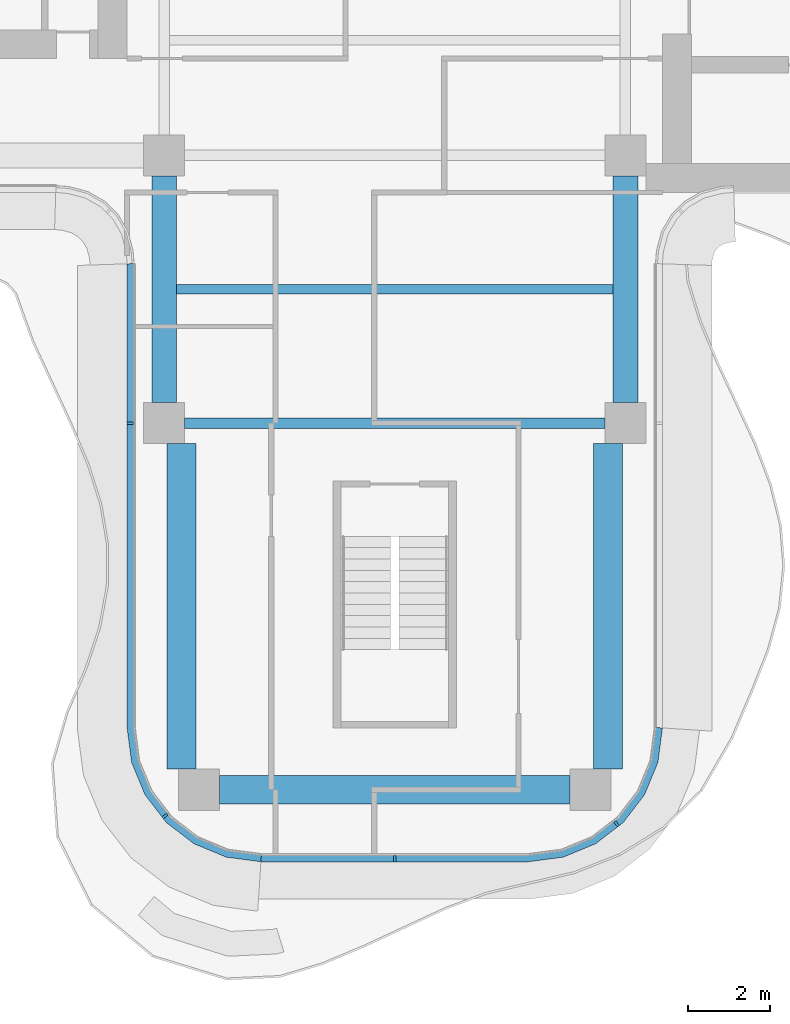
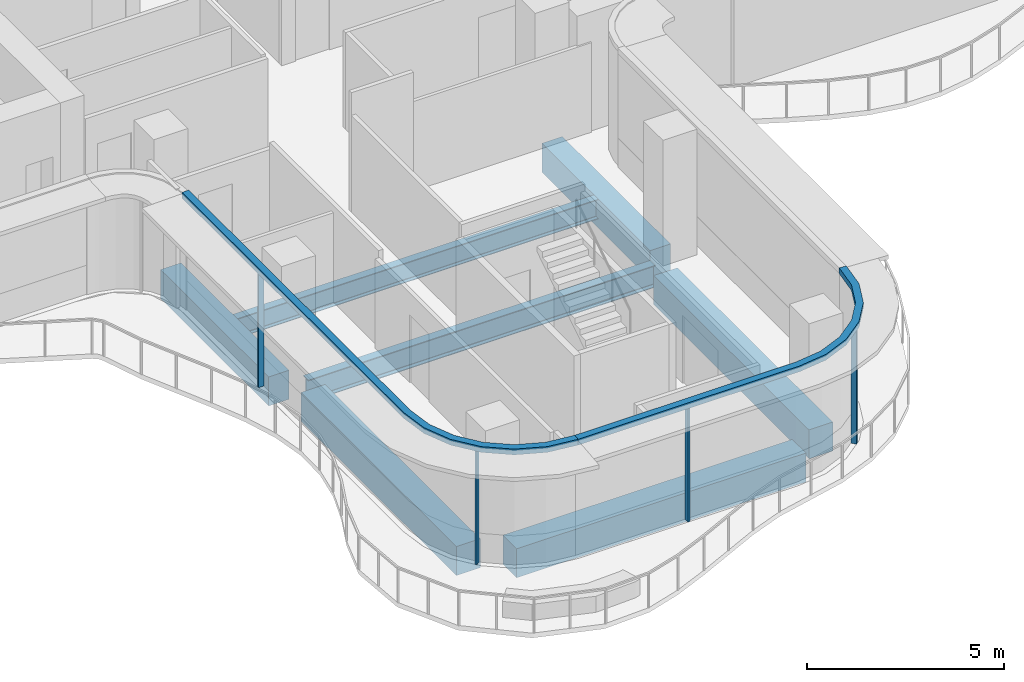
# One storey, part 2 of 15: 7 beams, 6 members, 2 elements without a shape of their own.
"""IFC4 building model written with IfcOpenShell, lengths in metres."""

from ifc_helpers import new_model, si_unit, direction, frame, origin, origin_2d, place, context, subcontext, project, spatial, polyline, rectangle, i_section, outline, extrude, source, transform, mapped, material, layer, layer_set, material_profile, profile_set, type_object, element, aggregate, save


model = new_model("IFC4")

# Units and contexts
model_context = context("Model", 3, precision=1e-05, world=origin(), true_north=direction((0.0, 1.0)))
body_context = subcontext(model_context, "Body", "Model", "MODEL_VIEW")
ifc_project = project(units=[si_unit("LENGTHUNIT", "METRE"), si_unit("AREAUNIT", "SQUARE_METRE"), si_unit("VOLUMEUNIT", "CUBIC_METRE"), si_unit("PLANEANGLEUNIT", "RADIAN"), si_unit("MASSUNIT", "GRAM", prefix="KILO")], contexts=[model_context])

# Site, building, storey
site_placement = place(None, origin())
site = spatial("IfcSite", under=ifc_project, at=site_placement, CompositionType="ELEMENT")
building_placement = place(site_placement, origin())
building = spatial("IfcBuilding", under=site, at=building_placement, Name="Trellis Farm Tower", CompositionType="ELEMENT")
storey_placement = place(building_placement, frame((0.0, 0.0, 287.199951171875)))
storey = spatial("IfcBuildingStorey", under=building, at=storey_placement, Name="L64", CompositionType="ELEMENT", Elevation=287.199951171875)

# Beams
ifc_material_1 = material(Name="Steel S355", Category="steel")
ifc_material_profile_1 = material_profile(ifc_material_1, i_section(OverallWidth=0.22900390625, OverallDepth=0.6123046875, WebThickness=0.011962890625, FlangeThickness=0.01953125, FilletRadius=0.0126953125, at=origin_2d()), Name="UB 610x229x125")
ifc_profile_set_1 = profile_set([ifc_material_profile_1], Name="Steel S355")
beam_type_1 = type_object("IfcBeamType", Name="UB 610x229x125 joist", PredefinedType="JOIST", material=ifc_profile_set_1)
shared_shape_1 = source(origin(), body_context, "Body", "SweptSolid", [
    extrude(i_section(OverallWidth=0.22900390625, OverallDepth=0.6123046875, WebThickness=0.011962890625, FlangeThickness=0.01953125, FilletRadius=0.0126953125, at=origin_2d()), origin(), (0.0, 0.0, 1.0), 10.60009765625),
])
beam_1_placement = place(storey_placement, frame((-5.300048828125, -8.85009765625, -0.506103515625), z_axis=(1.0, 0.0, 0.0), x_axis=(0.0, 1.0, 0.0)))
element("IfcBeam", 1, at=beam_1_placement, inside=storey, type_object=beam_type_1, Name="Floor beam", PredefinedType="JOIST", context=body_context, shape_type="MappedRepresentation", body=[
    mapped(shared_shape_1, transform((0.0, 0.0, 0.0))),
])
ifc_material_profile_2 = material_profile(ifc_material_1, i_section(OverallWidth=0.253662109375, OverallDepth=0.68359375, WebThickness=0.012451171875, FlangeThickness=0.021728515625, FilletRadius=0.01513671875, at=origin_2d()), Name="UB 686x254x140")
ifc_profile_set_2 = profile_set([ifc_material_profile_2], Name="Steel S355")
beam_type_2 = type_object("IfcBeamType", Name="UB 686x254x140", PredefinedType="BEAM", material=ifc_profile_set_2)
shared_shape_2 = source(origin(), body_context, "Body", "SweptSolid", [
    extrude(i_section(OverallWidth=0.253662109375, OverallDepth=0.68359375, WebThickness=0.012451171875, FlangeThickness=0.021728515625, FilletRadius=0.01513671875, at=origin_2d()), origin(), (0.0, 0.0, 1.0), 10.2001953125),
])
beam_2_placement = place(storey_placement, frame((-5.10009765625, -12.10009765625, -0.541748046875), z_axis=(1.0, 0.0, 0.0), x_axis=(0.0, 1.0, 0.0)))
element("IfcBeam", 2, at=beam_2_placement, inside=storey, type_object=beam_type_2, Name="Girder", PredefinedType="BEAM", context=body_context, shape_type="MappedRepresentation", body=[
    mapped(shared_shape_2, transform((0.0, 0.0, 0.0))),
])
ifc_material_2 = material(Name="Concrete C60/75", Category="concrete")
ifc_material_profile_3 = material_profile(ifc_material_2, rectangle(XDim=0.60009765625, YDim=0.89990234375, at=origin_2d()), Name="RC spandrel beam 600x900 C60/75")
ifc_profile_set_3 = profile_set([ifc_material_profile_3], Name="Concrete C60/75")
beam_type_3 = type_object("IfcBeamType", Name="RC spandrel beam 600x900 C60/75", PredefinedType="SPANDREL", material=ifc_profile_set_3)
shared_shape_3 = source(origin(), body_context, "Body", "SweptSolid", [
    extrude(rectangle(XDim=0.60009765625, YDim=0.89990234375, at=origin_2d()), origin(), (0.0, 0.0, 1.0), 5.5),
])
for number, where, z_axis, x_axis, name in (
    (3, (-5.60009765625, -11.60009765625, -0.64990234375), (0.0, 1.0, 0.0), (-1.0, 0.0, 0.0), "Girder"),
    (4, (5.60009765625, -11.60009765625, -0.64990234375), (0.0, 1.0, 0.0), (-1.0, 0.0, 0.0), "Girder"),
):
    element("IfcBeam", number, at=place(storey_placement, frame(where, z_axis=z_axis, x_axis=x_axis)), inside=storey, type_object=beam_type_3, Name=name, PredefinedType="SPANDREL", context=body_context, shape_type="MappedRepresentation", body=[
        mapped(shared_shape_3, transform((0.0, 0.0, 0.0))),
    ])
ifc_material_profile_4 = material_profile(ifc_material_2, rectangle(XDim=0.699951171875, YDim=0.89990234375, at=origin_2d()), Name="RC spandrel beam 700x900 C60/75")
ifc_profile_set_4 = profile_set([ifc_material_profile_4], Name="Concrete C60/75")
beam_type_4 = type_object("IfcBeamType", Name="RC spandrel beam 700x900 C60/75", PredefinedType="SPANDREL", material=ifc_profile_set_4)
shared_shape_4 = source(origin(), body_context, "Body", "SweptSolid", [
    extrude(rectangle(XDim=0.699951171875, YDim=0.89990234375, at=origin_2d()), origin(), (0.0, 0.0, 1.0), 8.5),
])
beam_3_placement = place(storey_placement, frame((-4.25, -21.0, -0.64990234375), z_axis=(1.0, 0.0, 0.0), x_axis=(0.0, 1.0, 0.0)))
element("IfcBeam", 5, at=beam_3_placement, inside=storey, type_object=beam_type_4, Name="Girder", PredefinedType="SPANDREL", context=body_context, shape_type="MappedRepresentation", body=[
    mapped(shared_shape_4, transform((0.0, 0.0, 0.0))),
])
shared_shape_5 = source(origin(), body_context, "Body", "SweptSolid", [
    extrude(rectangle(XDim=0.699951171875, YDim=0.89990234375, at=origin_2d()), origin(), (0.0, 0.0, 1.0), 7.89990234375),
])
for number, where, z_axis, x_axis, name in (
    (6, (-5.175048828125, -20.5, -0.64990234375), (0.0, 1.0, 0.0), (-1.0, 0.0, 0.0), "Girder"),
    (7, (5.175048828125, -20.5, -0.64990234375), (0.0, 1.0, 0.0), (-1.0, 0.0, 0.0), "Girder"),
):
    element("IfcBeam", number, at=place(storey_placement, frame(where, z_axis=z_axis, x_axis=x_axis)), inside=storey, type_object=beam_type_4, Name=name, PredefinedType="SPANDREL", context=body_context, shape_type="MappedRepresentation", body=[
        mapped(shared_shape_5, transform((0.0, 0.0, 0.0))),
    ])

# Curtain wall, members
ifc_material_3 = material(Name="Aluminium and glass curtain wall", Category="aluminium")
ifc_layer_1 = layer(ifc_material_3, 0.18994140625)
ifc_layer_set_1 = layer_set([ifc_layer_1], Name="RIBBON CURTAIN WALL CW1")
curtain_wall_type = type_object("IfcCurtainWallType", Name="RIBBON CURTAIN WALL CW1", PredefinedType="NOTDEFINED", material=ifc_layer_set_1)
placement_1 = place(storey_placement, origin())
curtain_wall_1 = element("IfcCurtainWall", 8, at=placement_1, inside=storey, type_object=curtain_wall_type, Name="CW1 002", PredefinedType="NOTDEFINED")
ifc_material_4 = material(Name="Aluminium extrusion 6063-T6", Category="aluminium")
ifc_material_profile_5 = material_profile(ifc_material_4, rectangle(XDim=0.06005859375, YDim=0.14990234375, at=origin_2d()), Name="MULLION 60x150")
ifc_profile_set_5 = profile_set([ifc_material_profile_5], Name="Aluminium extrusion 6063-T6")
member_type_1 = type_object("IfcMemberType", Name="CW1 MULLION 60x150", PredefinedType="MULLION", material=ifc_profile_set_5)
shared_shape_6 = source(origin(), body_context, "Body", "SweptSolid", [
    extrude(rectangle(XDim=0.06005859375, YDim=0.14990234375, at=origin_2d()), origin(), (0.0, 0.0, 1.0), 3.52001953125),
])
member_1_placement = place(storey_placement, frame((-6.425048828125, -12.10009765625, 0.0), z_axis=(0.0, 0.0, 1.0), x_axis=(0.0, -1.0, 0.0)))
member_1 = element("IfcMember", 9, at=member_1_placement, type_object=member_type_1, Name="MU1 002-01", PredefinedType="MULLION", context=body_context, shape_type="MappedRepresentation", body=[
    mapped(shared_shape_6, transform((0.0, 0.0, 0.0))),
])
member_2_placement = place(storey_placement, frame((-5.578369140625, -21.635498046875, 0.0), z_axis=(0.0, 0.0, 1.0), x_axis=(0.608761429009, -0.793353340291, 0.0)))
member_2 = element("IfcMember", 10, at=member_2_placement, type_object=member_type_1, Name="MU1 002-02", PredefinedType="MULLION", context=body_context, shape_type="MappedRepresentation", body=[
    mapped(shared_shape_6, transform((0.0, 0.0, 0.0))),
])

curtain_wall_2 = element("IfcCurtainWall", 11, at=placement_1, inside=storey, type_object=curtain_wall_type, Name="CW1 003", PredefinedType="NOTDEFINED")
member_3_placement = place(storey_placement, frame((0.0, -22.675048828125, 0.0), z_axis=(0.0, 0.0, 1.0), x_axis=(1.0, 0.0, 0.0)))
member_3 = element("IfcMember", 12, at=member_3_placement, type_object=member_type_1, Name="MU1 003-01", PredefinedType="MULLION", context=body_context, shape_type="MappedRepresentation", body=[
    mapped(shared_shape_6, transform((0.0, 0.0, 0.0))),
])
member_4_placement = place(storey_placement, frame((5.385498046875, -21.828369140625, 0.0), z_axis=(0.0, 0.0, 1.0), x_axis=(0.793353340291, 0.608761429009, 0.0)))
member_4 = element("IfcMember", 13, at=member_4_placement, type_object=member_type_1, Name="MU1 003-02", PredefinedType="MULLION", context=body_context, shape_type="MappedRepresentation", body=[
    mapped(shared_shape_6, transform((0.0, 0.0, 0.0))),
])

# Member
ifc_layer_2 = layer(ifc_material_4, 0.199951171875)
ifc_layer_set_2 = layer_set([ifc_layer_2], Name="Aluminium extrusion 6063-T6")
member_type_2 = type_object("IfcMemberType", Name="CW1 TRANSOM 200x180", PredefinedType="USERDEFINED", material=ifc_layer_set_2)
shared_shape_7 = source(origin(), body_context, "Body", "SweptSolid", [
    extrude(outline(polyline([(-6.5, -8.2314453125), (-6.5, -19.5), (-6.38916015625, -20.341064453125), (-6.064697265625, -21.125), (-5.548095703125, -21.798095703125), (-4.875, -22.314697265625), (-4.091064453125, -22.63916015625), (-3.25, -22.75), (-3.23681640625, -22.550048828125), (-4.0390625, -22.4443359375), (-4.774169921875, -22.139892578125), (-5.405517578125, -21.655517578125), (-5.889892578125, -21.024169921875), (-6.1943359375, -20.2890625), (-6.300048828125, -19.48681640625), (-6.300048828125, -8.224853515625), (-6.5, -8.2314453125)])), origin(), (0.0, 0.0, 1.0), 0.179931640625),
])
placement_2 = place(storey_placement, frame((0.0, 0.0, 3.52001953125)))
member_5 = element("IfcMember", 14, at=placement_2, type_object=member_type_2, Name="TR1 002", ObjectType="TRANSOM", PredefinedType="USERDEFINED", context=body_context, shape_type="MappedRepresentation", body=[
    mapped(shared_shape_7, transform((0.0, 0.0, 0.0))),
])

aggregate(curtain_wall_1, [member_1, member_2, member_5])

shared_shape_8 = source(origin(), body_context, "Body", "SweptSolid", [
    extrude(outline(polyline([(-3.25, -22.75), (3.25, -22.75), (4.091064453125, -22.63916015625), (4.875, -22.314697265625), (5.548095703125, -21.798095703125), (6.064697265625, -21.125), (6.38916015625, -20.341064453125), (6.5, -19.5), (6.300048828125, -19.48681640625), (6.1943359375, -20.2890625), (5.889892578125, -21.024169921875), (5.405517578125, -21.655517578125), (4.774169921875, -22.139892578125), (4.0390625, -22.4443359375), (3.23681640625, -22.550048828125), (-3.23681640625, -22.550048828125), (-3.25, -22.75)])), origin(), (0.0, 0.0, 1.0), 0.179931640625),
])
member_6 = element("IfcMember", 15, at=placement_2, type_object=member_type_2, Name="TR1 003", ObjectType="TRANSOM", PredefinedType="USERDEFINED", context=body_context, shape_type="MappedRepresentation", body=[
    mapped(shared_shape_8, transform((0.0, 0.0, 0.0))),
])

aggregate(curtain_wall_2, [member_3, member_4, member_6])

save(model, "model.ifc")
